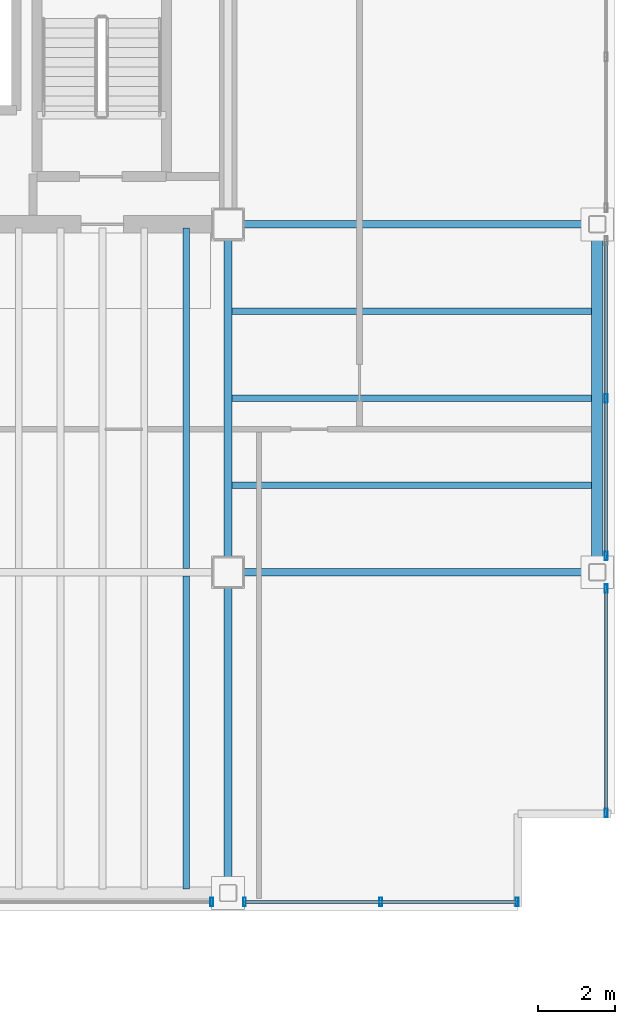
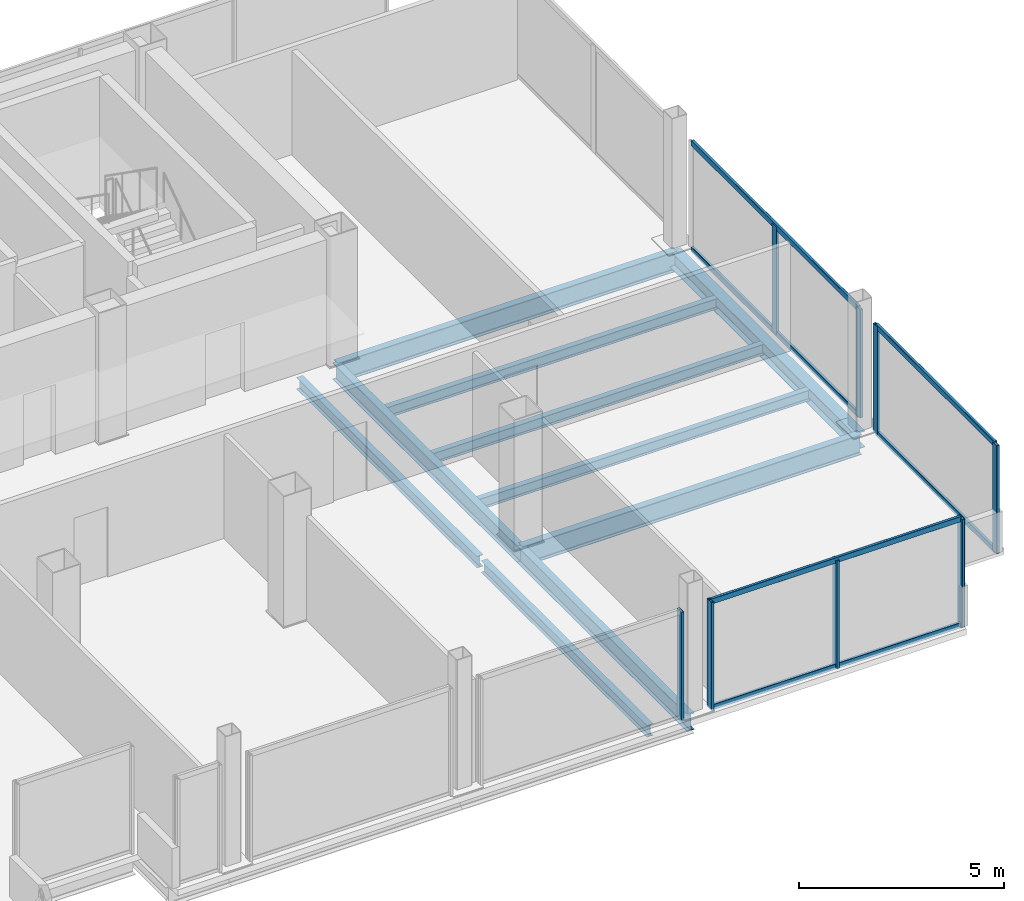
# One storey, part 10 of 15: 14 members, 10 beams, 4 elements without a shape of their own.
"""IFC4 building model written with IfcOpenShell, lengths in metres."""

from ifc_helpers import new_model, si_unit, direction, frame, origin, origin_2d, place, context, subcontext, project, spatial, hollow_rectangle, i_section, extrude, material, material_profile, profile_set, type_object, element, aggregate, save


model = new_model("IFC4")

# Units and contexts
model_context = context("Model", 3, precision=1e-05, world=origin(), true_north=direction((0.0, 1.0)))
body_context = subcontext(model_context, "Body", "Model", "MODEL_VIEW")
ifc_project = project(units=[si_unit("LENGTHUNIT", "METRE"), si_unit("AREAUNIT", "SQUARE_METRE"), si_unit("VOLUMEUNIT", "CUBIC_METRE"), si_unit("PLANEANGLEUNIT", "RADIAN"), si_unit("MASSUNIT", "GRAM", prefix="KILO")], contexts=[model_context])

# Site, building, storey
site_placement = place(None, origin())
site = spatial("IfcSite", under=ifc_project, at=site_placement, CompositionType="ELEMENT")
building_placement = place(site_placement, origin())
building = spatial("IfcBuilding", under=site, at=building_placement, Name="Noeulbin Bourse Tower", CompositionType="ELEMENT")
storey_placement = place(building_placement, frame((0.0, 0.0, 211.10009765625)))
storey = spatial("IfcBuildingStorey", under=building, at=storey_placement, Name="L52", CompositionType="ELEMENT", Elevation=211.10009765625)

# Beams
ifc_material_1 = material(Name="Steel S355", Category="steel")
ifc_material_profile_1 = material_profile(ifc_material_1, i_section(OverallWidth=0.199951171875, OverallDepth=0.5, WebThickness=0.010009765625, FlangeThickness=0.01611328125, FilletRadius=0.02001953125, at=origin_2d()), Name="H-500x200x10x16", Category="LoadBearing")
ifc_profile_set_1 = profile_set([ifc_material_profile_1], Name="Steel S355")
beam_type_1 = type_object("IfcBeamType", Name="BM-GRD-500", PredefinedType="USERDEFINED", material=ifc_profile_set_1)
beam_1_placement = place(storey_placement, frame((44.0, 11.699951171875, -0.43017578125), z_axis=(0.0, 1.0, 0.0), x_axis=(-1.0, 0.0, 0.0)))
element("IfcBeam", 1, at=beam_1_placement, inside=storey, type_object=beam_type_1, Name="Tower Primary Girder NS L52-5.1", ObjectType="GIRDER", PredefinedType="USERDEFINED", context=body_context, shape_type="SweptSolid", body=[
    extrude(i_section(OverallWidth=0.199951171875, OverallDepth=0.5, WebThickness=0.010009765625, FlangeThickness=0.01611328125, FilletRadius=0.02001953125, at=origin_2d()), origin(), (0.0, 0.0, 1.0), 8.300048828125),
])
beam_2_placement = place(storey_placement, frame((44.0, 20.0, -0.43017578125), z_axis=(0.0, 1.0, 0.0), x_axis=(-1.0, 0.0, 0.0)))
element("IfcBeam", 2, at=beam_2_placement, inside=storey, type_object=beam_type_1, Name="Tower Primary Girder NS L52-5.2", ObjectType="GIRDER", PredefinedType="USERDEFINED", context=body_context, shape_type="SweptSolid", body=[
    extrude(i_section(OverallWidth=0.199951171875, OverallDepth=0.5, WebThickness=0.010009765625, FlangeThickness=0.01611328125, FilletRadius=0.02001953125, at=origin_2d()), origin(), (0.0, 0.0, 1.0), 9.0),
])
ifc_material_profile_2 = material_profile(ifc_material_1, i_section(OverallWidth=0.199951171875, OverallDepth=0.60009765625, WebThickness=0.010986328125, FlangeThickness=0.01708984375, FilletRadius=0.02197265625, at=origin_2d()), Name="H-600x200x11x17", Category="LoadBearing")
ifc_profile_set_2 = profile_set([ifc_material_profile_2], Name="Steel S355")
beam_type_2 = type_object("IfcBeamType", Name="BM-GRD-600", PredefinedType="USERDEFINED", material=ifc_profile_set_2)
for number, where, z_axis, x_axis, name in (
    (3, (44.0, 20.0, -0.47998046875), (1.0, 0.0, 0.0), (0.0, 1.0, 0.0), "Tower Primary Girder EW L52-1.6"),
    (4, (44.0, 29.0, -0.47998046875), (1.0, 0.0, 0.0), (0.0, 1.0, 0.0), "Tower Primary Girder EW L52-2.6"),
):
    element("IfcBeam", number, at=place(storey_placement, frame(where, z_axis=z_axis, x_axis=x_axis)), inside=storey, type_object=beam_type_2, Name=name, ObjectType="GIRDER", PredefinedType="USERDEFINED", context=body_context, shape_type="SweptSolid", body=[
        extrude(i_section(OverallWidth=0.199951171875, OverallDepth=0.60009765625, WebThickness=0.010986328125, FlangeThickness=0.01708984375, FilletRadius=0.02197265625, at=origin_2d()), origin(), (0.0, 0.0, 1.0), 9.550048828125),
    ])
ifc_material_profile_3 = material_profile(ifc_material_1, i_section(OverallWidth=0.159912109375, OverallDepth=0.320068359375, WebThickness=0.006591796875, FlangeThickness=0.010009765625, FilletRadius=0.012939453125, at=origin_2d()), Name="H-320x160x6.5x10", Category="LoadBearing")
ifc_profile_set_3 = profile_set([ifc_material_profile_3], Name="Steel S355")
beam_type_3 = type_object("IfcBeamType", Name="BM-JST-320", PredefinedType="JOIST", material=ifc_profile_set_3)
for number, where, z_axis, x_axis, name in (
    (5, (44.10009765625, 22.25, -0.340087890625), (1.0, 0.0, 0.0), (0.0, 1.0, 0.0), "Wing Composite Joist L52-E50"),
    (6, (44.10009765625, 24.5, -0.340087890625), (1.0, 0.0, 0.0), (0.0, 1.0, 0.0), "Wing Composite Joist L52-E51"),
    (7, (44.10009765625, 26.75, -0.340087890625), (1.0, 0.0, 0.0), (0.0, 1.0, 0.0), "Wing Composite Joist L52-E52"),
):
    element("IfcBeam", number, at=place(storey_placement, frame(where, z_axis=z_axis, x_axis=x_axis)), inside=storey, type_object=beam_type_3, Name=name, PredefinedType="JOIST", context=body_context, shape_type="SweptSolid", body=[
        extrude(i_section(OverallWidth=0.159912109375, OverallDepth=0.320068359375, WebThickness=0.006591796875, FlangeThickness=0.010009765625, FilletRadius=0.012939453125, at=origin_2d()), origin(), (0.0, 0.0, 1.0), 9.2998046875),
    ])
ifc_material_profile_4 = material_profile(ifc_material_1, i_section(OverallWidth=0.175048828125, OverallDepth=0.35009765625, WebThickness=0.007080078125, FlangeThickness=0.010986328125, FilletRadius=0.013916015625, at=origin_2d()), Name="H-350x175x7x11", Category="LoadBearing")
ifc_profile_set_4 = profile_set([ifc_material_profile_4], Name="Steel S355")
beam_type_4 = type_object("IfcBeamType", Name="BM-JST-350", PredefinedType="JOIST", material=ifc_profile_set_4)
beam_3_placement = place(storey_placement, frame((42.916748046875, 11.800048828125, -0.35498046875), z_axis=(0.0, 1.0, 0.0), x_axis=(-1.0, 0.0, 0.0)))
element("IfcBeam", 8, at=beam_3_placement, inside=storey, type_object=beam_type_4, Name="Tower Composite Joist L52-45", PredefinedType="JOIST", context=body_context, shape_type="SweptSolid", body=[
    extrude(i_section(OverallWidth=0.175048828125, OverallDepth=0.35009765625, WebThickness=0.007080078125, FlangeThickness=0.010986328125, FilletRadius=0.013916015625, at=origin_2d()), origin(), (0.0, 0.0, 1.0), 8.099853515625),
])
beam_4_placement = place(storey_placement, frame((42.916748046875, 20.10009765625, -0.35498046875), z_axis=(0.0, 1.0, 0.0), x_axis=(-1.0, 0.0, 0.0)))
element("IfcBeam", 9, at=beam_4_placement, inside=storey, type_object=beam_type_4, Name="Tower Composite Joist L52-46", PredefinedType="JOIST", context=body_context, shape_type="SweptSolid", body=[
    extrude(i_section(OverallWidth=0.175048828125, OverallDepth=0.35009765625, WebThickness=0.007080078125, FlangeThickness=0.010986328125, FilletRadius=0.013916015625, at=origin_2d()), origin(), (0.0, 0.0, 1.0), 8.7998046875),
])
ifc_material_profile_5 = material_profile(ifc_material_1, i_section(OverallWidth=0.300048828125, OverallDepth=0.488037109375, WebThickness=0.010986328125, FlangeThickness=0.01806640625, FilletRadius=0.02197265625, at=origin_2d()), Name="H-488x300x11x18", Category="LoadBearing")
ifc_profile_set_5 = profile_set([ifc_material_profile_5], Name="Steel S355")
beam_type_5 = type_object("IfcBeamType", Name="BM-SPN-488", PredefinedType="SPANDREL", material=ifc_profile_set_5)
beam_5_placement = place(storey_placement, frame((53.550048828125, 20.0, -0.424072265625), z_axis=(0.0, 1.0, 0.0), x_axis=(-1.0, 0.0, 0.0)))
element("IfcBeam", 10, at=beam_5_placement, inside=storey, type_object=beam_type_5, Name="East Spandrel L52-1", PredefinedType="SPANDREL", context=body_context, shape_type="SweptSolid", body=[
    extrude(i_section(OverallWidth=0.300048828125, OverallDepth=0.488037109375, WebThickness=0.010986328125, FlangeThickness=0.01806640625, FilletRadius=0.02197265625, at=origin_2d()), origin(), (0.0, 0.0, 1.0), 9.0),
])

# Curtain wall, member
ifc_material_2 = material(Name="High-Selectivity Low-Iron Glazing", Category="glass")
curtain_wall_type = type_object("IfcCurtainWallType", Name="CW-SYS-4", PredefinedType="NOTDEFINED", material=ifc_material_2)
curtain_wall_1_placement = place(storey_placement, origin())
curtain_wall_1 = element("IfcCurtainWall", 11, at=curtain_wall_1_placement, inside=storey, type_object=curtain_wall_type, Name="Unitised Curtain Wall CW-L52-S3-S3", PredefinedType="NOTDEFINED")
ifc_material_3 = material(Name="Anodised Aluminium 6063-T6", Category="aluminium")
ifc_material_profile_6 = material_profile(ifc_material_3, hollow_rectangle(XDim=0.074951171875, YDim=0.219970703125, WallThickness=0.0048828125, InnerFilletRadius=0.00244140625, OuterFilletRadius=0.0048828125, at=origin_2d()), Name="ALU-MULL-75x220x5", Category="LoadBearing")
ifc_profile_set_6 = profile_set([ifc_material_profile_6], Name="Anodised Aluminium 6063-T6")
member_type_1 = type_object("IfcMemberType", Name="CW-SYS-4-MUL", PredefinedType="MULLION", material=ifc_profile_set_6)
member_1_placement = place(storey_placement, frame((43.574951171875, 11.469970703125, -0.02001953125), z_axis=(0.0, 0.0, 1.0), x_axis=(1.0, 0.0, 0.0)))
member_1 = element("IfcMember", 12, at=member_1_placement, type_object=member_type_1, Name="Curtain Wall Mullion CW-L52-S3-S3-M01", PredefinedType="MULLION", context=body_context, shape_type="SweptSolid", body=[
    extrude(hollow_rectangle(XDim=0.074951171875, YDim=0.219970703125, WallThickness=0.0048828125, InnerFilletRadius=0.00244140625, OuterFilletRadius=0.0048828125, at=origin_2d()), origin(), (0.0, 0.0, 1.0), 3.219970703125),
])
aggregate(curtain_wall_1, [member_1])

# Curtain wall, members
curtain_wall_2_placement = place(storey_placement, origin())
curtain_wall_2 = element("IfcCurtainWall", 13, at=curtain_wall_2_placement, inside=storey, type_object=curtain_wall_type, Name="Unitised Curtain Wall CW-L52-S3-S4", PredefinedType="NOTDEFINED")
member_2_placement = place(storey_placement, frame((44.425048828125, 11.469970703125, -0.02001953125), z_axis=(0.0, 0.0, 1.0), x_axis=(1.0, 0.0, 0.0)))
member_2 = element("IfcMember", 14, at=member_2_placement, type_object=member_type_1, Name="Curtain Wall Mullion CW-L52-S3-S4-M00", PredefinedType="MULLION", context=body_context, shape_type="SweptSolid", body=[
    extrude(hollow_rectangle(XDim=0.074951171875, YDim=0.219970703125, WallThickness=0.0048828125, InnerFilletRadius=0.00244140625, OuterFilletRadius=0.0048828125, at=origin_2d()), origin(), (0.0, 0.0, 1.0), 3.219970703125),
])
member_3_placement = place(storey_placement, frame((47.952392578125, 11.469970703125, -0.02001953125), z_axis=(0.0, 0.0, 1.0), x_axis=(1.0, 0.0, 0.0)))
member_3 = element("IfcMember", 15, at=member_3_placement, type_object=member_type_1, Name="Curtain Wall Mullion CW-L52-S3-S4-M01", PredefinedType="MULLION", context=body_context, shape_type="SweptSolid", body=[
    extrude(hollow_rectangle(XDim=0.074951171875, YDim=0.219970703125, WallThickness=0.0048828125, InnerFilletRadius=0.00244140625, OuterFilletRadius=0.0048828125, at=origin_2d()), origin(), (0.0, 0.0, 1.0), 3.219970703125),
])
member_4_placement = place(storey_placement, frame((51.47998046875, 11.469970703125, -0.02001953125), z_axis=(0.0, 0.0, 1.0), x_axis=(1.0, 0.0, 0.0)))
member_4 = element("IfcMember", 16, at=member_4_placement, type_object=member_type_1, Name="Curtain Wall Mullion CW-L52-S3-S4-M02", PredefinedType="MULLION", context=body_context, shape_type="SweptSolid", body=[
    extrude(hollow_rectangle(XDim=0.074951171875, YDim=0.219970703125, WallThickness=0.0048828125, InnerFilletRadius=0.00244140625, OuterFilletRadius=0.0048828125, at=origin_2d()), origin(), (0.0, 0.0, 1.0), 3.219970703125),
])

curtain_wall_3_placement = place(storey_placement, origin())
curtain_wall_3 = element("IfcCurtainWall", 17, at=curtain_wall_3_placement, inside=storey, type_object=curtain_wall_type, Name="Unitised Curtain Wall CW-L52-E-S1", PredefinedType="NOTDEFINED")
member_5_placement = place(storey_placement, frame((53.780029296875, 13.77001953125, -0.02001953125), z_axis=(0.0, 0.0, 1.0), x_axis=(1.0, 0.0, 0.0)))
member_5 = element("IfcMember", 18, at=member_5_placement, type_object=member_type_1, Name="Curtain Wall Mullion CW-L52-E-S1-M00", PredefinedType="MULLION", context=body_context, shape_type="SweptSolid", body=[
    extrude(hollow_rectangle(XDim=0.074951171875, YDim=0.219970703125, WallThickness=0.0048828125, InnerFilletRadius=0.00244140625, OuterFilletRadius=0.0048828125, at=origin_2d()), origin(), (0.0, 0.0, 1.0), 3.219970703125),
])
member_6_placement = place(storey_placement, frame((53.780029296875, 19.574951171875, -0.02001953125), z_axis=(0.0, 0.0, 1.0), x_axis=(1.0, 0.0, 0.0)))
member_6 = element("IfcMember", 19, at=member_6_placement, type_object=member_type_1, Name="Curtain Wall Mullion CW-L52-E-S1-M01", PredefinedType="MULLION", context=body_context, shape_type="SweptSolid", body=[
    extrude(hollow_rectangle(XDim=0.074951171875, YDim=0.219970703125, WallThickness=0.0048828125, InnerFilletRadius=0.00244140625, OuterFilletRadius=0.0048828125, at=origin_2d()), origin(), (0.0, 0.0, 1.0), 3.219970703125),
])

curtain_wall_4_placement = place(storey_placement, origin())
curtain_wall_4 = element("IfcCurtainWall", 20, at=curtain_wall_4_placement, inside=storey, type_object=curtain_wall_type, Name="Unitised Curtain Wall CW-L52-E-S2", PredefinedType="NOTDEFINED")
member_7_placement = place(storey_placement, frame((53.780029296875, 20.425048828125, -0.02001953125), z_axis=(0.0, 0.0, 1.0), x_axis=(1.0, 0.0, 0.0)))
member_7 = element("IfcMember", 21, at=member_7_placement, type_object=member_type_1, Name="Curtain Wall Mullion CW-L52-E-S2-M00", PredefinedType="MULLION", context=body_context, shape_type="SweptSolid", body=[
    extrude(hollow_rectangle(XDim=0.074951171875, YDim=0.219970703125, WallThickness=0.0048828125, InnerFilletRadius=0.00244140625, OuterFilletRadius=0.0048828125, at=origin_2d()), origin(), (0.0, 0.0, 1.0), 3.219970703125),
])
member_8_placement = place(storey_placement, frame((53.780029296875, 24.5, -0.02001953125), z_axis=(0.0, 0.0, 1.0), x_axis=(1.0, 0.0, 0.0)))
member_8 = element("IfcMember", 22, at=member_8_placement, type_object=member_type_1, Name="Curtain Wall Mullion CW-L52-E-S2-M01", PredefinedType="MULLION", context=body_context, shape_type="SweptSolid", body=[
    extrude(hollow_rectangle(XDim=0.074951171875, YDim=0.219970703125, WallThickness=0.0048828125, InnerFilletRadius=0.00244140625, OuterFilletRadius=0.0048828125, at=origin_2d()), origin(), (0.0, 0.0, 1.0), 3.219970703125),
])

# Member
ifc_material_profile_7 = material_profile(ifc_material_3, hollow_rectangle(XDim=0.074951171875, YDim=0.159912109375, WallThickness=0.0048828125, InnerFilletRadius=0.00244140625, OuterFilletRadius=0.0048828125, at=origin_2d()), Name="ALU-TRAN-75x160x5", Category="LoadBearing")
ifc_profile_set_7 = profile_set([ifc_material_profile_7], Name="Anodised Aluminium 6063-T6")
member_type_2 = type_object("IfcMemberType", Name="CW-SYS-4-TRN", PredefinedType="USERDEFINED", material=ifc_profile_set_7)
member_9_placement = place(storey_placement, frame((44.43505859375, 11.469970703125, 0.010009765625), z_axis=(1.0, 0.0, 0.0), x_axis=(0.0, 1.0, 0.0)))
member_9 = element("IfcMember", 23, at=member_9_placement, type_object=member_type_2, Name="Curtain Wall Transom CW-L52-S3-S4-T00", ObjectType="TRANSOM", PredefinedType="USERDEFINED", context=body_context, shape_type="SweptSolid", body=[
    extrude(hollow_rectangle(XDim=0.074951171875, YDim=0.159912109375, WallThickness=0.0048828125, InnerFilletRadius=0.00244140625, OuterFilletRadius=0.0048828125, at=origin_2d()), origin(), (0.0, 0.0, 1.0), 7.034912109375),
])

member_10_placement = place(storey_placement, frame((44.43505859375, 11.469970703125, 3.169921875), z_axis=(1.0, 0.0, 0.0), x_axis=(0.0, 1.0, 0.0)))
member_10 = element("IfcMember", 24, at=member_10_placement, type_object=member_type_2, Name="Curtain Wall Transom CW-L52-S3-S4-T01", ObjectType="TRANSOM", PredefinedType="USERDEFINED", context=body_context, shape_type="SweptSolid", body=[
    extrude(hollow_rectangle(XDim=0.074951171875, YDim=0.159912109375, WallThickness=0.0048828125, InnerFilletRadius=0.00244140625, OuterFilletRadius=0.0048828125, at=origin_2d()), origin(), (0.0, 0.0, 1.0), 7.034912109375),
])

aggregate(curtain_wall_2, [member_2, member_3, member_4, member_9, member_10])

member_11_placement = place(storey_placement, frame((53.780029296875, 13.780029296875, 0.010009765625), z_axis=(0.0, 1.0, 0.0), x_axis=(-1.0, 0.0, 0.0)))
member_11 = element("IfcMember", 25, at=member_11_placement, type_object=member_type_2, Name="Curtain Wall Transom CW-L52-E-S1-T00", ObjectType="TRANSOM", PredefinedType="USERDEFINED", context=body_context, shape_type="SweptSolid", body=[
    extrude(hollow_rectangle(XDim=0.074951171875, YDim=0.159912109375, WallThickness=0.0048828125, InnerFilletRadius=0.00244140625, OuterFilletRadius=0.0048828125, at=origin_2d()), origin(), (0.0, 0.0, 1.0), 5.784912109375),
])

member_12_placement = place(storey_placement, frame((53.780029296875, 13.780029296875, 3.169921875), z_axis=(0.0, 1.0, 0.0), x_axis=(-1.0, 0.0, 0.0)))
member_12 = element("IfcMember", 26, at=member_12_placement, type_object=member_type_2, Name="Curtain Wall Transom CW-L52-E-S1-T01", ObjectType="TRANSOM", PredefinedType="USERDEFINED", context=body_context, shape_type="SweptSolid", body=[
    extrude(hollow_rectangle(XDim=0.074951171875, YDim=0.159912109375, WallThickness=0.0048828125, InnerFilletRadius=0.00244140625, OuterFilletRadius=0.0048828125, at=origin_2d()), origin(), (0.0, 0.0, 1.0), 5.784912109375),
])

aggregate(curtain_wall_3, [member_5, member_6, member_11, member_12])

member_13_placement = place(storey_placement, frame((53.780029296875, 20.43505859375, 0.010009765625), z_axis=(0.0, 1.0, 0.0), x_axis=(-1.0, 0.0, 0.0)))
member_13 = element("IfcMember", 27, at=member_13_placement, type_object=member_type_2, Name="Curtain Wall Transom CW-L52-E-S2-T00", ObjectType="TRANSOM", PredefinedType="USERDEFINED", context=body_context, shape_type="SweptSolid", body=[
    extrude(hollow_rectangle(XDim=0.074951171875, YDim=0.159912109375, WallThickness=0.0048828125, InnerFilletRadius=0.00244140625, OuterFilletRadius=0.0048828125, at=origin_2d()), origin(), (0.0, 0.0, 1.0), 8.1298828125),
])

member_14_placement = place(storey_placement, frame((53.780029296875, 20.43505859375, 3.169921875), z_axis=(0.0, 1.0, 0.0), x_axis=(-1.0, 0.0, 0.0)))
member_14 = element("IfcMember", 28, at=member_14_placement, type_object=member_type_2, Name="Curtain Wall Transom CW-L52-E-S2-T01", ObjectType="TRANSOM", PredefinedType="USERDEFINED", context=body_context, shape_type="SweptSolid", body=[
    extrude(hollow_rectangle(XDim=0.074951171875, YDim=0.159912109375, WallThickness=0.0048828125, InnerFilletRadius=0.00244140625, OuterFilletRadius=0.0048828125, at=origin_2d()), origin(), (0.0, 0.0, 1.0), 8.1298828125),
])

aggregate(curtain_wall_4, [member_7, member_8, member_13, member_14])

save(model, "model.ifc")
